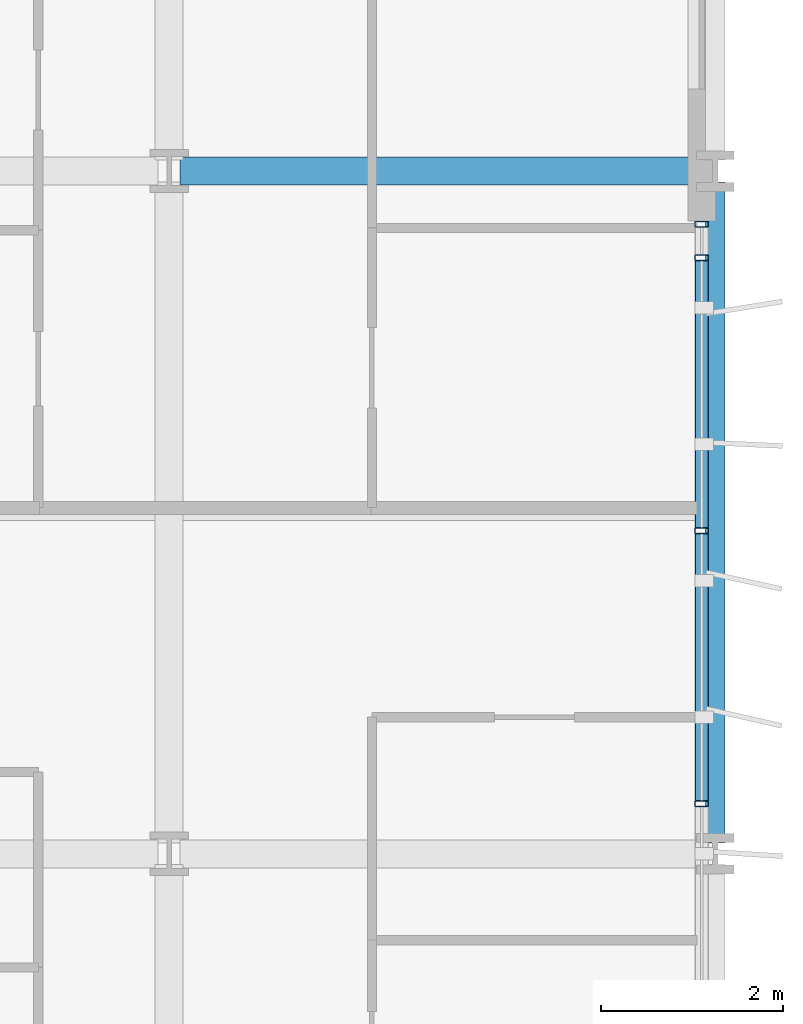
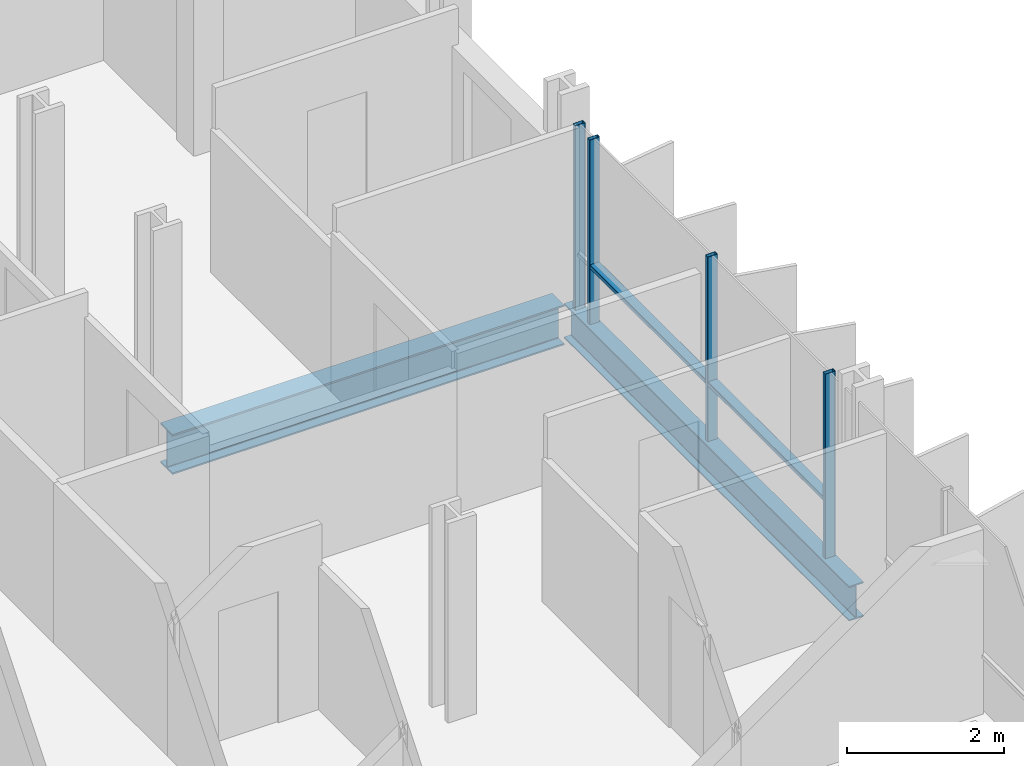
# One storey, part 19 of 39: 6 members, 2 beams, 1 element without a shape of its own.
"""IFC4 building model written with IfcOpenShell, lengths in metres."""

from ifc_helpers import new_model, si_unit, direction, frame, origin, origin_2d, place, context, subcontext, project, spatial, hollow_rectangle, i_section, extrude, material, layer, layer_set, material_profile, profile_set, type_object, element, aggregate, save


model = new_model("IFC4")

# Units and contexts
model_context = context("Model", 3, precision=1e-05, world=origin(), true_north=direction((0.0, 1.0)))
body_context = subcontext(model_context, "Body", "Model", "MODEL_VIEW")
ifc_project = project(units=[si_unit("LENGTHUNIT", "METRE"), si_unit("AREAUNIT", "SQUARE_METRE"), si_unit("VOLUMEUNIT", "CUBIC_METRE"), si_unit("PLANEANGLEUNIT", "RADIAN"), si_unit("MASSUNIT", "GRAM", prefix="KILO")], contexts=[model_context])

# Site, building, storey
site_placement = place(None, origin())
site = spatial("IfcSite", under=ifc_project, at=site_placement, CompositionType="ELEMENT")
building_placement = place(site_placement, origin())
building = spatial("IfcBuilding", under=site, at=building_placement, Name="Brevholm Reach", CompositionType="ELEMENT")
storey_placement = place(building_placement, frame((0.0, 0.0, 40.39990234375)))
storey = spatial("IfcBuildingStorey", under=building, at=storey_placement, Name="L10", CompositionType="ELEMENT", Elevation=40.39990234375)

# Beams
ifc_material_1 = material(Name="Structural Steel S355J2", Category="steel")
ifc_material_profile_1 = material_profile(ifc_material_1, i_section(OverallWidth=0.210693359375, OverallDepth=0.53955078125, WebThickness=0.01171875, FlangeThickness=0.018798828125, FilletRadius=0.0126953125, at=origin_2d()), Name="UKB 533x210x109")
ifc_profile_set_1 = profile_set([ifc_material_profile_1], Name="Structural Steel S355J2")
beam_type_1 = type_object("IfcBeamType", Name="BM-SP539", PredefinedType="SPANDREL", material=ifc_profile_set_1)
beam_1_placement = place(storey_placement, frame((60.0, 16.1201171875, -0.499755859375), z_axis=(0.0, 1.0, 0.0), x_axis=(-1.0, 0.0, 0.0)))
element("IfcBeam", 1, at=beam_1_placement, inside=storey, type_object=beam_type_1, Name="L10 SP-01B Framing Beam", PredefinedType="SPANDREL", context=body_context, shape_type="SweptSolid", body=[
    extrude(i_section(OverallWidth=0.210693359375, OverallDepth=0.53955078125, WebThickness=0.01171875, FlangeThickness=0.018798828125, FilletRadius=0.0126953125, at=origin_2d()), origin(), (0.0, 0.0, 1.0), 7.259765625),
])
ifc_material_2 = material(Name="Structural Steel S355J2", Category="steel")
ifc_material_profile_2 = material_profile(ifc_material_2, i_section(OverallWidth=0.30712890625, OverallDepth=0.6201171875, WebThickness=0.01416015625, FlangeThickness=0.023681640625, FilletRadius=0.0166015625, at=origin_2d()), Name="UKB 610x305x179")
ifc_profile_set_2 = profile_set([ifc_material_profile_2], Name="Structural Steel S355J2")
beam_type_2 = type_object("IfcBeamType", Name="BM-UKB610H", PredefinedType="USERDEFINED", material=ifc_profile_set_2)
beam_2_placement = place(storey_placement, frame((54.1201171875, 23.5, -0.5400390625), z_axis=(1.0, 0.0, 0.0), x_axis=(0.0, 1.0, 0.0)))
element("IfcBeam", 2, at=beam_2_placement, inside=storey, type_object=beam_type_2, Name="L10 G-06 Framing Beam", ObjectType="GIRDER", PredefinedType="USERDEFINED", context=body_context, shape_type="SweptSolid", body=[
    extrude(i_section(OverallWidth=0.30712890625, OverallDepth=0.6201171875, WebThickness=0.01416015625, FlangeThickness=0.023681640625, FilletRadius=0.0166015625, at=origin_2d()), origin(), (0.0, 0.0, 1.0), 5.759765625),
])

# Curtain wall, members
ifc_material_3 = material(Name="Dark Anodised Aluminium 6063-T6 and Solar-Control Glass", Category="aluminium")
ifc_layer = layer(ifc_material_3, 0.14990234375)
ifc_layer_set = layer_set([ifc_layer], Name="Dark Anodised Aluminium 6063-T6 and Solar-Control Glass")
curtain_wall_type = type_object("IfcCurtainWallType", Name="CW-01", PredefinedType="NOTDEFINED", material=ifc_layer_set)
curtain_wall_placement = place(storey_placement, origin())
curtain_wall = element("IfcCurtainWall", 3, at=curtain_wall_placement, inside=storey, type_object=curtain_wall_type, Name="L10 Curtain Wall CW-01", PredefinedType="NOTDEFINED")
ifc_material_4 = material(Name="Dark Anodised Aluminium 6063-T6", Category="aluminium")
ifc_material_profile_3 = material_profile(ifc_material_4, hollow_rectangle(XDim=0.06494140625, YDim=0.14990234375, WallThickness=0.0048828125, InnerFilletRadius=0.0048828125, OuterFilletRadius=0.010009765625, at=origin_2d()), Name="RHS 150x65x5")
ifc_profile_set_3 = profile_set([ifc_material_profile_3], Name="Dark Anodised Aluminium 6063-T6")
member_type_1 = type_object("IfcMemberType", Name="CWM-150", PredefinedType="MULLION", material=ifc_profile_set_3)
member_1_placement = place(storey_placement, frame((59.85009765625, 16.550048828125, 0.0), z_axis=(0.0, 0.0, 1.0), x_axis=(0.0, 1.0, 0.0)))
member_1 = element("IfcMember", 4, at=member_1_placement, type_object=member_type_1, Name="CM-150 Mullion 3", PredefinedType="MULLION", context=body_context, shape_type="SweptSolid", body=[
    extrude(hollow_rectangle(XDim=0.06494140625, YDim=0.14990234375, WallThickness=0.0048828125, InnerFilletRadius=0.0048828125, OuterFilletRadius=0.010009765625, at=origin_2d()), origin(), (0.0, 0.0, 1.0), 2.8701171875),
])
member_2_placement = place(storey_placement, frame((59.85009765625, 19.550048828125, 0.0), z_axis=(0.0, 0.0, 1.0), x_axis=(0.0, 1.0, 0.0)))
member_2 = element("IfcMember", 5, at=member_2_placement, type_object=member_type_1, Name="CM-150 Mullion 4", PredefinedType="MULLION", context=body_context, shape_type="SweptSolid", body=[
    extrude(hollow_rectangle(XDim=0.06494140625, YDim=0.14990234375, WallThickness=0.0048828125, InnerFilletRadius=0.0048828125, OuterFilletRadius=0.010009765625, at=origin_2d()), origin(), (0.0, 0.0, 1.0), 2.8701171875),
])
member_3_placement = place(storey_placement, frame((59.85009765625, 22.550048828125, 0.0), z_axis=(0.0, 0.0, 1.0), x_axis=(0.0, 1.0, 0.0)))
member_3 = element("IfcMember", 6, at=member_3_placement, type_object=member_type_1, Name="CM-150 Mullion 5", PredefinedType="MULLION", context=body_context, shape_type="SweptSolid", body=[
    extrude(hollow_rectangle(XDim=0.06494140625, YDim=0.14990234375, WallThickness=0.0048828125, InnerFilletRadius=0.0048828125, OuterFilletRadius=0.010009765625, at=origin_2d()), origin(), (0.0, 0.0, 1.0), 2.8701171875),
])
member_4_placement = place(storey_placement, frame((59.85009765625, 22.91748046875, 0.0), z_axis=(0.0, 0.0, 1.0), x_axis=(0.0, 1.0, 0.0)))
member_4 = element("IfcMember", 7, at=member_4_placement, type_object=member_type_1, Name="CM-150 Mullion 6", PredefinedType="MULLION", context=body_context, shape_type="SweptSolid", body=[
    extrude(hollow_rectangle(XDim=0.06494140625, YDim=0.14990234375, WallThickness=0.0048828125, InnerFilletRadius=0.0048828125, OuterFilletRadius=0.010009765625, at=origin_2d()), origin(), (0.0, 0.0, 1.0), 2.8701171875),
])
ifc_material_5 = material(Name="Dark Anodised Aluminium 6063-T6", Category="aluminium")
ifc_material_profile_4 = material_profile(ifc_material_5, hollow_rectangle(XDim=0.06494140625, YDim=0.14990234375, WallThickness=0.0048828125, InnerFilletRadius=0.0048828125, OuterFilletRadius=0.010009765625, at=origin_2d()), Name="RHS 150x65x5")
ifc_profile_set_4 = profile_set([ifc_material_profile_4], Name="Dark Anodised Aluminium 6063-T6")
member_type_2 = type_object("IfcMemberType", Name="CWT-150", PredefinedType="NOTDEFINED", material=ifc_profile_set_4)
member_5_placement = place(storey_placement, frame((59.85009765625, 16.58251953125, 0.900146484375), z_axis=(0.0, 1.0, 0.0), x_axis=(0.0, 0.0, 1.0)))
member_5 = element("IfcMember", 8, at=member_5_placement, type_object=member_type_2, Name="CT-150 Transom 3.1", ObjectType="TRANSOM", PredefinedType="USERDEFINED", context=body_context, shape_type="SweptSolid", body=[
    extrude(hollow_rectangle(XDim=0.06494140625, YDim=0.14990234375, WallThickness=0.0048828125, InnerFilletRadius=0.0048828125, OuterFilletRadius=0.010009765625, at=origin_2d()), origin(), (0.0, 0.0, 1.0), 2.93505859375),
])
member_6_placement = place(storey_placement, frame((59.85009765625, 19.58251953125, 0.900146484375), z_axis=(0.0, 1.0, 0.0), x_axis=(0.0, 0.0, 1.0)))
member_6 = element("IfcMember", 9, at=member_6_placement, type_object=member_type_2, Name="CT-150 Transom 4.1", ObjectType="TRANSOM", PredefinedType="USERDEFINED", context=body_context, shape_type="SweptSolid", body=[
    extrude(hollow_rectangle(XDim=0.06494140625, YDim=0.14990234375, WallThickness=0.0048828125, InnerFilletRadius=0.0048828125, OuterFilletRadius=0.010009765625, at=origin_2d()), origin(), (0.0, 0.0, 1.0), 2.93505859375),
])
aggregate(curtain_wall, [member_1, member_2, member_3, member_4, member_5, member_6])

save(model, "model.ifc")
